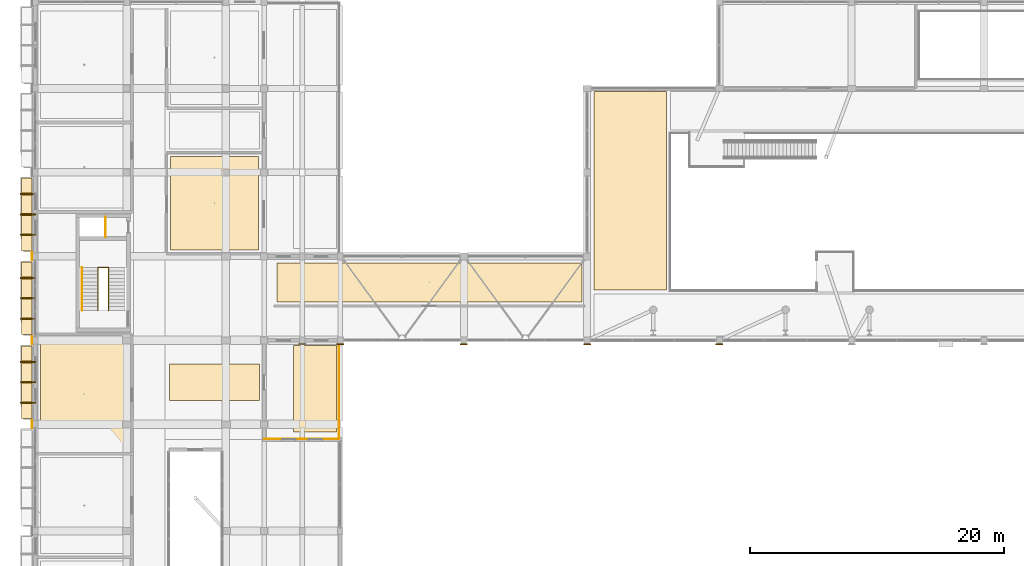
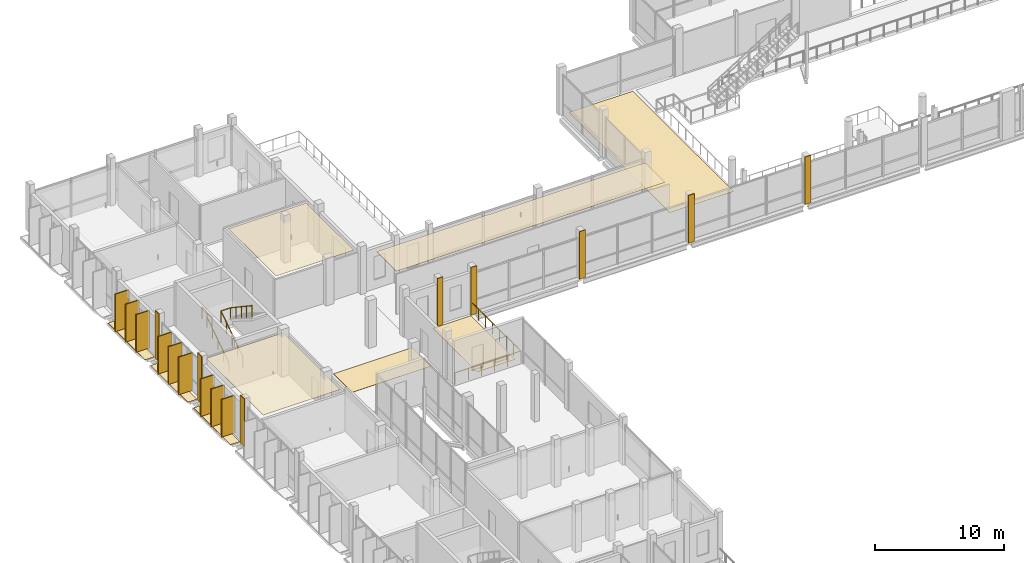
# One storey, part 85 of 95: 26 coverings, 9 shading devices, 5 railings.
"""IFC4 building model written with IfcOpenShell, lengths in metres."""

from ifc_helpers import new_model, si_unit, derived_unit, direction, frame, origin, origin_2d, place, context, subcontext, project, spatial, polyline, rectangle, circle, outline, extrude, material, layer, layer_set, type_object, element, save


model = new_model("IFC4")

# Units and contexts
model_context = context("Model", 3, precision=1e-05, world=origin(), true_north=direction((0.0, 1.0)))
body_context = subcontext(model_context, "Body", "Model", "MODEL_VIEW")
ifc_project = project(units=[si_unit("LENGTHUNIT", "METRE"), si_unit("AREAUNIT", "SQUARE_METRE"), si_unit("VOLUMEUNIT", "CUBIC_METRE"), si_unit("PLANEANGLEUNIT", "RADIAN"), si_unit("MASSUNIT", "GRAM", prefix="KILO"), derived_unit("THERMALTRANSMITTANCEUNIT", [(si_unit("POWERUNIT", "WATT"), 1), (si_unit("LENGTHUNIT", "METRE"), -2), (si_unit("THERMODYNAMICTEMPERATUREUNIT", "KELVIN"), -1)])], contexts=[model_context])

# Site, building, storey
site_placement = place(None, origin())
site = spatial("IfcSite", under=ifc_project, at=site_placement, CompositionType="ELEMENT")
building_placement = place(site_placement, origin())
building = spatial("IfcBuilding", under=site, at=building_placement, Name="Braskholm Square Health Centre", CompositionType="ELEMENT")
storey_placement = place(building_placement, frame((0.0, 0.0, 4.800048828125)))
storey = spatial("IfcBuildingStorey", under=building, at=storey_placement, Name="L02", CompositionType="ELEMENT", Elevation=4.800048828125)

# Coverings
ifc_material_1 = material(Name="Fire-rated gypsum board barrier")
ifc_layer_1 = layer(ifc_material_1, 0.02490234375)
ifc_layer_set_1 = layer_set([ifc_layer_1], Name="Fire-rated gypsum board barrier")
covering_type_1 = type_object("IfcCoveringType", Name="AcousticClinicalCeilingTile", PredefinedType="CEILING", material=ifc_layer_set_1)
covering_1_placement = place(storey_placement, frame((0.0, 0.0, 3.764892578125)))
element("IfcCovering", 1, at=covering_1_placement, inside=storey, type_object=covering_type_1, Name="Acoustic ceiling L02-053", PredefinedType="CEILING", context=body_context, shape_type="SweptSolid", body=[
    extrude(outline(polyline([(4.6201171875, 78.580078125), (11.5, 78.580078125), (11.5, 87.39990234375), (4.6201171875, 87.39990234375), (4.6201171875, 78.580078125)])), origin(), (0.0, 0.0, 1.0), 0.025146484375),
])
covering_2_placement = place(storey_placement, frame((0.0, 0.0, 3.7548828125)))
element("IfcCovering", 2, at=covering_2_placement, inside=storey, type_object=covering_type_1, Name="Acoustic ceiling L02-057", PredefinedType="CEILING", context=body_context, shape_type="SweptSolid", body=[
    extrude(outline(polyline([(23.219970703125, 90.219970703125), (47.179931640625, 90.219970703125), (47.179931640625, 93.280029296875), (23.219970703125, 93.280029296875), (23.219970703125, 90.219970703125)])), origin(), (0.0, 0.0, 1.0), 0.025146484375),
])
covering_3_placement = place(storey_placement, frame((0.0, 0.0, 3.764892578125)))
element("IfcCovering", 3, at=covering_3_placement, inside=storey, type_object=covering_type_1, Name="Acoustic ceiling L02-066", PredefinedType="CEILING", context=body_context, shape_type="SweptSolid", body=[
    extrude(outline(polyline([(14.85009765625, 94.300048828125), (21.780029296875, 94.300048828125), (21.780029296875, 101.64990234375), (14.85009765625, 101.64990234375), (14.85009765625, 94.300048828125)])), origin(), (0.0, 0.0, 1.0), 0.025146484375),
])

# Railings
ifc_material_2 = material(Name="Dark patinated chevron architectural bronze", Category="aluminium")
railing_type_1 = type_object("IfcRailingType", Name="BronzeChevronGuardrail1100", PredefinedType="GUARDRAIL", material=ifc_material_2)
railing_1_placement = place(storey_placement, frame((9.719970703125, 95.320068359375, 0.0)))
element("IfcRailing", 4, at=railing_1_placement, inside=storey, type_object=railing_type_1, Name="Core K3 riser shaft maintenance guard L02", PredefinedType="GUARDRAIL", context=body_context, shape_type="SweptSolid", body=[
    extrude(circle(Radius=0.02392578125, at=origin_2d()), frame((0.0, 0.0, 1.076171875), z_axis=(0.0, 1.0, 0.0), x_axis=(-1.0, 0.0, 0.0)), (0.0, 0.0, 1.0), 1.559814453125),
    extrude(circle(Radius=0.02099609375, at=origin_2d()), origin(), (0.0, 0.0, 1.0), 1.052001953125),
    extrude(circle(Radius=0.02099609375, at=origin_2d()), frame((0.0, 0.77978515625, 0.0)), (0.0, 0.0, 1.0), 1.052001953125),
    extrude(circle(Radius=0.02099609375, at=origin_2d()), frame((0.0, 1.559814453125, 0.0)), (0.0, 0.0, 1.0), 1.052001953125),
])
railing_2_placement = place(storey_placement, frame((9.1298828125, 89.56005859375, 0.0)))
element("IfcRailing", 5, at=railing_2_placement, inside=storey, type_object=railing_type_1, Name="Stair ST-03 inner well guardrail L02", PredefinedType="GUARDRAIL", context=body_context, shape_type="SweptSolid", body=[
    extrude(circle(Radius=0.02392578125, at=origin_2d()), frame((0.0, 0.0, 1.076171875), z_axis=(0.0, 0.830896709279, 0.556426687452), x_axis=(-1.0, 0.0, 0.0)), (0.0, 0.0, 1.0), 4.043701171875),
    extrude(circle(Radius=0.02392578125, at=origin_2d()), frame((0.0, 3.35986328125, 3.326171875), z_axis=(1.0, 0.0, 0.0), x_axis=(0.0, 1.0, 0.0)), (0.0, 0.0, 1.0), 0.840087890625),
    extrude(circle(Radius=0.02392578125, at=origin_2d()), frame((0.840087890625, 3.35986328125, 3.326171875), z_axis=(0.0, -0.830896709279, 0.556426687452), x_axis=(1.0, 0.0, 0.0)), (0.0, 0.0, 1.0), 4.043701171875),
    extrude(circle(Radius=0.02099609375, at=origin_2d()), origin(), (0.0, 0.0, 1.0), 1.052001953125),
    extrude(circle(Radius=0.02099609375, at=origin_2d()), frame((0.0, 0.83984375, 0.5625)), (0.0, 0.0, 1.0), 1.052001953125),
    extrude(circle(Radius=0.02099609375, at=origin_2d()), frame((0.0, 1.679931640625, 1.125)), (0.0, 0.0, 1.0), 1.052001953125),
    extrude(circle(Radius=0.02099609375, at=origin_2d()), frame((0.0, 2.52001953125, 1.6875)), (0.0, 0.0, 1.0), 1.052001953125),
    extrude(circle(Radius=0.02099609375, at=origin_2d()), frame((0.0, 3.35986328125, 2.25)), (0.0, 0.0, 1.0), 1.052001953125),
    extrude(circle(Radius=0.02099609375, at=origin_2d()), frame((0.840087890625, 3.35986328125, 2.25)), (0.0, 0.0, 1.0), 1.052001953125),
    extrude(circle(Radius=0.02099609375, at=origin_2d()), frame((0.840087890625, 2.52001953125, 2.8125)), (0.0, 0.0, 1.0), 1.052001953125),
    extrude(circle(Radius=0.02099609375, at=origin_2d()), frame((0.840087890625, 1.679931640625, 3.375)), (0.0, 0.0, 1.0), 1.052001953125),
    extrude(circle(Radius=0.02099609375, at=origin_2d()), frame((0.840087890625, 0.83984375, 3.9375)), (0.0, 0.0, 1.0), 1.052001953125),
    extrude(circle(Radius=0.02099609375, at=origin_2d()), frame((0.840087890625, 0.0, 4.5)), (0.0, 0.0, 1.0), 1.052001953125),
])
railing_3_placement = place(storey_placement, frame((22.25, 79.449951171875, 0.0)))
element("IfcRailing", 6, at=railing_3_placement, inside=storey, type_object=railing_type_1, Name="Bronze chevron guardrail 0003 L02", PredefinedType="GUARDRAIL", context=body_context, shape_type="SweptSolid", body=[
    extrude(circle(Radius=0.02392578125, at=origin_2d()), frame((0.0, 0.0, 1.076171875), z_axis=(1.0, 0.0, 0.0), x_axis=(0.0, 1.0, 0.0)), (0.0, 0.0, 1.0), 5.85009765625),
    extrude(circle(Radius=0.02099609375, at=origin_2d()), origin(), (0.0, 0.0, 1.0), 1.052001953125),
    extrude(circle(Radius=0.02099609375, at=origin_2d()), frame((1.169921875, 0.0, 0.0)), (0.0, 0.0, 1.0), 1.052001953125),
    extrude(circle(Radius=0.02099609375, at=origin_2d()), frame((2.340087890625, 0.0, 0.0)), (0.0, 0.0, 1.0), 1.052001953125),
    extrude(circle(Radius=0.02099609375, at=origin_2d()), frame((3.510009765625, 0.0, 0.0)), (0.0, 0.0, 1.0), 1.052001953125),
    extrude(circle(Radius=0.02099609375, at=origin_2d()), frame((4.68017578125, 0.0, 0.0)), (0.0, 0.0, 1.0), 1.052001953125),
    extrude(circle(Radius=0.02099609375, at=origin_2d()), frame((5.85009765625, 0.0, 0.0)), (0.0, 0.0, 1.0), 1.052001953125),
])
railing_4_placement = place(storey_placement, frame((28.10009765625, 79.449951171875, 0.0)))
element("IfcRailing", 7, at=railing_4_placement, inside=storey, type_object=railing_type_1, Name="Bronze chevron guardrail 0004 L02", PredefinedType="GUARDRAIL", context=body_context, shape_type="SweptSolid", body=[
    extrude(circle(Radius=0.02392578125, at=origin_2d()), frame((0.0, 0.0, 1.076171875), z_axis=(0.0, 1.0, 0.0), x_axis=(-1.0, 0.0, 0.0)), (0.0, 0.0, 1.0), 7.650146484375),
    extrude(circle(Radius=0.02099609375, at=origin_2d()), origin(), (0.0, 0.0, 1.0), 1.052001953125),
    extrude(circle(Radius=0.02099609375, at=origin_2d()), frame((0.0, 1.0927734375, 0.0)), (0.0, 0.0, 1.0), 1.052001953125),
    extrude(circle(Radius=0.02099609375, at=origin_2d()), frame((0.0, 2.185791015625, 0.0)), (0.0, 0.0, 1.0), 1.052001953125),
    extrude(circle(Radius=0.02099609375, at=origin_2d()), frame((0.0, 3.278564453125, 0.0)), (0.0, 0.0, 1.0), 1.052001953125),
    extrude(circle(Radius=0.02099609375, at=origin_2d()), frame((0.0, 4.37158203125, 0.0)), (0.0, 0.0, 1.0), 1.052001953125),
    extrude(circle(Radius=0.02099609375, at=origin_2d()), frame((0.0, 5.46435546875, 0.0)), (0.0, 0.0, 1.0), 1.052001953125),
    extrude(circle(Radius=0.02099609375, at=origin_2d()), frame((0.0, 6.557373046875, 0.0)), (0.0, 0.0, 1.0), 1.052001953125),
    extrude(circle(Radius=0.02099609375, at=origin_2d()), frame((0.0, 7.650146484375, 0.0)), (0.0, 0.0, 1.0), 1.052001953125),
])

# Shading devices
ifc_material_3 = material(Name="Thermally modified western red cedar with bronze trim", Category="wood")
shading_device_type = type_object("IfcShadingDeviceType", Name="CedarBronzeShadingFin1250", PredefinedType="USERDEFINED", material=ifc_material_3)
for number, where, z_axis, x_axis, name in (
    (8, (3.635009765625, 82.300048828125, 0.0), (0.0, 0.0, 1.0), (1.0, 0.0, 0.0), "Warm cedar-bronze vertical shading slat 0037"),
    (9, (3.635009765625, 83.89990234375, 0.0), (0.0, 0.0, 1.0), (1.0, 0.0, 0.0), "Warm cedar-bronze vertical shading slat 0038"),
    (10, (3.635009765625, 85.5, 0.0), (0.0, 0.0, 1.0), (1.0, 0.0, 0.0), "Warm cedar-bronze vertical shading slat 0039"),
    (11, (3.635009765625, 88.89990234375, 0.0), (0.0, 0.0, 1.0), (1.0, 0.0, 0.0), "Warm cedar-bronze vertical shading slat 0040"),
    (12, (3.635009765625, 90.5, 0.0), (0.0, 0.0, 1.0), (1.0, 0.0, 0.0), "Warm cedar-bronze vertical shading slat 0041"),
    (13, (3.635009765625, 92.10009765625, 0.0), (0.0, 0.0, 1.0), (1.0, 0.0, 0.0), "Warm cedar-bronze vertical shading slat 0042"),
    (14, (3.635009765625, 95.5, 0.0), (0.0, 0.0, 1.0), (1.0, 0.0, 0.0), "Warm cedar-bronze vertical shading slat 0043"),
    (15, (3.635009765625, 97.10009765625, 0.0), (0.0, 0.0, 1.0), (1.0, 0.0, 0.0), "Warm cedar-bronze vertical shading slat 0044"),
    (16, (3.635009765625, 98.699951171875, 0.0), (0.0, 0.0, 1.0), (1.0, 0.0, 0.0), "Warm cedar-bronze vertical shading slat 0045"),
):
    element("IfcShadingDevice", number, at=place(storey_placement, frame(where, z_axis=z_axis, x_axis=x_axis)), inside=storey, type_object=shading_device_type, Name=name, ObjectType="FIN", PredefinedType="USERDEFINED", context=body_context, shape_type="SweptSolid", body=[
        extrude(rectangle(XDim=1.25, YDim=0.0849609375, at=origin_2d()), origin(), (0.0, 0.0, 1.0), 3.570068359375),
    ])

# Coverings
ifc_layer_2 = layer(ifc_material_3, 0.0849609375)
ifc_layer_set_2 = layer_set([ifc_layer_2], Name="Thermally modified western red cedar with bronze trim")
covering_type_2 = type_object("IfcCoveringType", Name="CedarBronzeSlatCladding", PredefinedType="CLADDING", material=ifc_layer_set_2)
for number, where, z_axis, x_axis, name in (
    (17, (3.6298828125, 82.300048828125, 0.0), (0.0, 0.0, 1.0), (1.0, 0.0, 0.0), "Cedar-bronze shading slat trim 0443"),
    (18, (3.6298828125, 83.89990234375, 0.0), (0.0, 0.0, 1.0), (1.0, 0.0, 0.0), "Cedar-bronze shading slat trim 0444"),
    (19, (3.6298828125, 85.5, 0.0), (0.0, 0.0, 1.0), (1.0, 0.0, 0.0), "Cedar-bronze shading slat trim 0445"),
    (20, (3.6298828125, 88.89990234375, 0.0), (0.0, 0.0, 1.0), (1.0, 0.0, 0.0), "Cedar-bronze shading slat trim 0447"),
    (21, (3.6298828125, 90.5, 0.0), (0.0, 0.0, 1.0), (1.0, 0.0, 0.0), "Cedar-bronze shading slat trim 0448"),
    (22, (3.6298828125, 92.10009765625, 0.0), (0.0, 0.0, 1.0), (1.0, 0.0, 0.0), "Cedar-bronze shading slat trim 0449"),
    (23, (3.6298828125, 95.5, 0.0), (0.0, 0.0, 1.0), (1.0, 0.0, 0.0), "Cedar-bronze shading slat trim 0451"),
    (24, (3.6298828125, 97.10009765625, 0.0), (0.0, 0.0, 1.0), (1.0, 0.0, 0.0), "Cedar-bronze shading slat trim 0452"),
    (25, (3.6298828125, 98.699951171875, 0.0), (0.0, 0.0, 1.0), (1.0, 0.0, 0.0), "Cedar-bronze shading slat trim 0453"),
):
    element("IfcCovering", number, at=place(storey_placement, frame(where, z_axis=z_axis, x_axis=x_axis)), inside=storey, type_object=covering_type_2, Name=name, PredefinedType="CLADDING", context=body_context, shape_type="SweptSolid", body=[
        extrude(rectangle(XDim=1.179931640625, YDim=0.094970703125, at=origin_2d()), origin(), (0.0, 0.0, 1.0), 3.570068359375),
    ])
ifc_material_4 = material(Name="Intensive botanical sedum and native prairie garden bed")
ifc_layer_3 = layer(ifc_material_4, 0.02490234375)
ifc_layer_set_3 = layer_set([ifc_layer_3], Name="Intensive botanical sedum and native prairie garden bed")
covering_type_3 = type_object("IfcCoveringType", Name="PlantedTerraceGardenBed", PredefinedType="ROOFING", material=ifc_layer_set_3)
covering_4_placement = place(storey_placement, origin())
element("IfcCovering", 26, at=covering_4_placement, inside=storey, type_object=covering_type_3, Name="West floor planter ledge sedum strip 0446", PredefinedType="ROOFING", context=body_context, shape_type="SweptSolid", body=[
    extrude(outline(polyline([(3.1201171875, 81.0400390625), (3.949951171875, 81.0400390625), (3.949951171875, 86.760009765625), (3.1201171875, 86.760009765625), (3.1201171875, 81.0400390625)])), origin(), (0.0, 0.0, 1.0), 0.02490234375),
])
covering_5_placement = place(storey_placement, origin())
element("IfcCovering", 27, at=covering_5_placement, inside=storey, type_object=covering_type_3, Name="West floor planter ledge sedum strip 0450", PredefinedType="ROOFING", context=body_context, shape_type="SweptSolid", body=[
    extrude(outline(polyline([(3.1201171875, 87.639892578125), (3.949951171875, 87.639892578125), (3.949951171875, 93.360107421875), (3.1201171875, 93.360107421875), (3.1201171875, 87.639892578125)])), origin(), (0.0, 0.0, 1.0), 0.02490234375),
])
covering_6_placement = place(storey_placement, origin())
element("IfcCovering", 28, at=covering_6_placement, inside=storey, type_object=covering_type_3, Name="West floor planter ledge sedum strip 0454", PredefinedType="ROOFING", context=body_context, shape_type="SweptSolid", body=[
    extrude(outline(polyline([(3.1201171875, 94.239990234375), (3.949951171875, 94.239990234375), (3.949951171875, 99.9599609375), (3.1201171875, 99.9599609375), (3.1201171875, 94.239990234375)])), origin(), (0.0, 0.0, 1.0), 0.02490234375),
])
covering_7_placement = place(storey_placement, origin())
element("IfcCovering", 29, at=covering_7_placement, inside=storey, type_object=covering_type_3, Name="Planted therapy terrace garden bed 0903", PredefinedType="ROOFING", context=body_context, shape_type="SweptSolid", body=[
    extrude(outline(polyline([(24.5, 80.0), (27.89990234375, 80.0), (27.89990234375, 86.800048828125), (24.5, 86.800048828125), (24.5, 80.0)])), origin(), (0.0, 0.0, 1.0), 0.02490234375),
])
ifc_material_5 = material(Name="Polished geometric terrazzo flooring", Category="masonry")
ifc_layer_4 = layer(ifc_material_5, 0.02001953125)
ifc_layer_set_4 = layer_set([ifc_layer_4], Name="Polished geometric terrazzo flooring")
covering_type_4 = type_object("IfcCoveringType", Name="PolishedTerrazzoFloorFinish", PredefinedType="FLOORING", material=ifc_layer_set_4)
covering_8_placement = place(storey_placement, origin())
element("IfcCovering", 30, at=covering_8_placement, inside=storey, type_object=covering_type_4, Name="Polished terrazzo floor L02-059", PredefinedType="FLOORING", context=body_context, shape_type="SweptSolid", body=[
    extrude(outline(polyline([(14.780029296875, 82.449951171875), (21.830078125, 82.449951171875), (21.830078125, 85.35009765625), (14.780029296875, 85.35009765625), (14.780029296875, 82.449951171875)])), origin(), (0.0, 0.0, 1.0), 0.02001953125),
])
covering_9_placement = place(storey_placement, origin())
element("IfcCovering", 31, at=covering_9_placement, inside=storey, type_object=covering_type_4, Name="Polished terrazzo floor L02-298", PredefinedType="FLOORING", context=body_context, shape_type="SweptSolid", body=[
    extrude(outline(polyline([(48.14990234375, 91.14990234375), (53.85009765625, 91.14990234375), (53.85009765625, 106.75), (48.14990234375, 106.75), (48.14990234375, 91.14990234375)])), origin(), (0.0, 0.0, 1.0), 0.02001953125),
])
ifc_material_6 = material(Name="Precast concrete C40/50 architectural white", Category="concrete")
ifc_layer_5 = layer(ifc_material_6, 0.054931640625)
ifc_layer_set_5 = layer_set([ifc_layer_5], Name="Precast concrete C40/50 architectural white")
covering_type_5 = type_object("IfcCoveringType", Name="PrecastWhiteColumnCasing", PredefinedType="CLADDING", material=ifc_layer_set_5)
for number, where, z_axis, x_axis, name in (
    (32, (3.945068359375, 80.60009765625, 0.0), (0.0, 0.0, 1.0), (1.0, 0.0, 0.0), "Giant-order white precast column casing 0101"),
    (33, (3.945068359375, 87.199951171875, 0.0), (0.0, 0.0, 1.0), (1.0, 0.0, 0.0), "Giant-order white precast column casing 0110"),
    (34, (3.945068359375, 93.800048828125, 0.0), (0.0, 0.0, 1.0), (1.0, 0.0, 0.0), "Giant-order white precast column casing 0119"),
):
    element("IfcCovering", number, at=place(storey_placement, frame(where, z_axis=z_axis, x_axis=x_axis)), inside=storey, type_object=covering_type_5, Name=name, PredefinedType="CLADDING", context=body_context, shape_type="SweptSolid", body=[
        extrude(rectangle(XDim=0.06005859375, YDim=0.639892578125, at=origin_2d()), origin(), (0.0, 0.0, 1.0), 4.5),
    ])
covering_10_placement = place(storey_placement, frame((25.199951171875, 86.905029296875, 0.0), z_axis=(0.0, 0.0, 1.0), x_axis=(1.0, 0.0, 0.0)))
element("IfcCovering", 35, at=covering_10_placement, inside=storey, type_object=covering_type_5, Name="Giant-order white precast column casing 0183", PredefinedType="CLADDING", context=body_context, shape_type="SweptSolid", body=[
    extrude(rectangle(XDim=0.52001953125, YDim=0.06005859375, at=origin_2d()), origin(), (0.0, 0.0, 1.0), 4.5),
])
for number, where, z_axis, x_axis, name in (
    (36, (28.199951171875, 86.89501953125, 0.0), (0.0, 0.0, 1.0), (1.0, 0.0, 0.0), "Giant-order white precast column casing 0186"),
    (37, (37.89990234375, 86.89501953125, 0.0), (0.0, 0.0, 1.0), (1.0, 0.0, 0.0), "Giant-order white precast column casing 0189"),
    (38, (47.60009765625, 86.89501953125, 0.0), (0.0, 0.0, 1.0), (1.0, 0.0, 0.0), "Giant-order white precast column casing 0192"),
    (39, (58.0, 86.89501953125, 0.0), (0.0, 0.0, 1.0), (1.0, 0.0, 0.0), "Giant-order white precast column casing 0195"),
):
    element("IfcCovering", number, at=place(storey_placement, frame(where, z_axis=z_axis, x_axis=x_axis)), inside=storey, type_object=covering_type_5, Name=name, PredefinedType="CLADDING", context=body_context, shape_type="SweptSolid", body=[
        extrude(rectangle(XDim=0.5400390625, YDim=0.06005859375, at=origin_2d()), origin(), (0.0, 0.0, 1.0), 4.5),
    ])

# Railing
railing_type_2 = type_object("IfcRailingType", Name="StairTubularHandrail915", PredefinedType="HANDRAIL", material=ifc_material_2)
railing_5_placement = place(storey_placement, frame((7.89990234375, 89.56005859375, 0.0)))
element("IfcRailing", 40, at=railing_5_placement, inside=storey, type_object=railing_type_2, Name="Stair ST-03 wall handrail F1 L02", PredefinedType="HANDRAIL", context=body_context, shape_type="SweptSolid", body=[
    extrude(circle(Radius=0.02392578125, at=origin_2d()), frame((0.0, 0.0, 0.89111328125), z_axis=(0.0, 0.830896709279, 0.556426687452), x_axis=(-1.0, 0.0, 0.0)), (0.0, 0.0, 1.0), 4.043701171875),
    extrude(circle(Radius=0.02099609375, at=origin_2d()), origin(), (0.0, 0.0, 1.0), 0.866943359375),
    extrude(circle(Radius=0.02099609375, at=origin_2d()), frame((0.0, 0.83984375, 0.5625)), (0.0, 0.0, 1.0), 0.866943359375),
    extrude(circle(Radius=0.02099609375, at=origin_2d()), frame((0.0, 1.679931640625, 1.125)), (0.0, 0.0, 1.0), 0.866943359375),
    extrude(circle(Radius=0.02099609375, at=origin_2d()), frame((0.0, 2.52001953125, 1.6875)), (0.0, 0.0, 1.0), 0.866943359375),
    extrude(circle(Radius=0.02099609375, at=origin_2d()), frame((0.0, 3.35986328125, 2.25)), (0.0, 0.0, 1.0), 0.866943359375),
])

save(model, "model.ifc")
